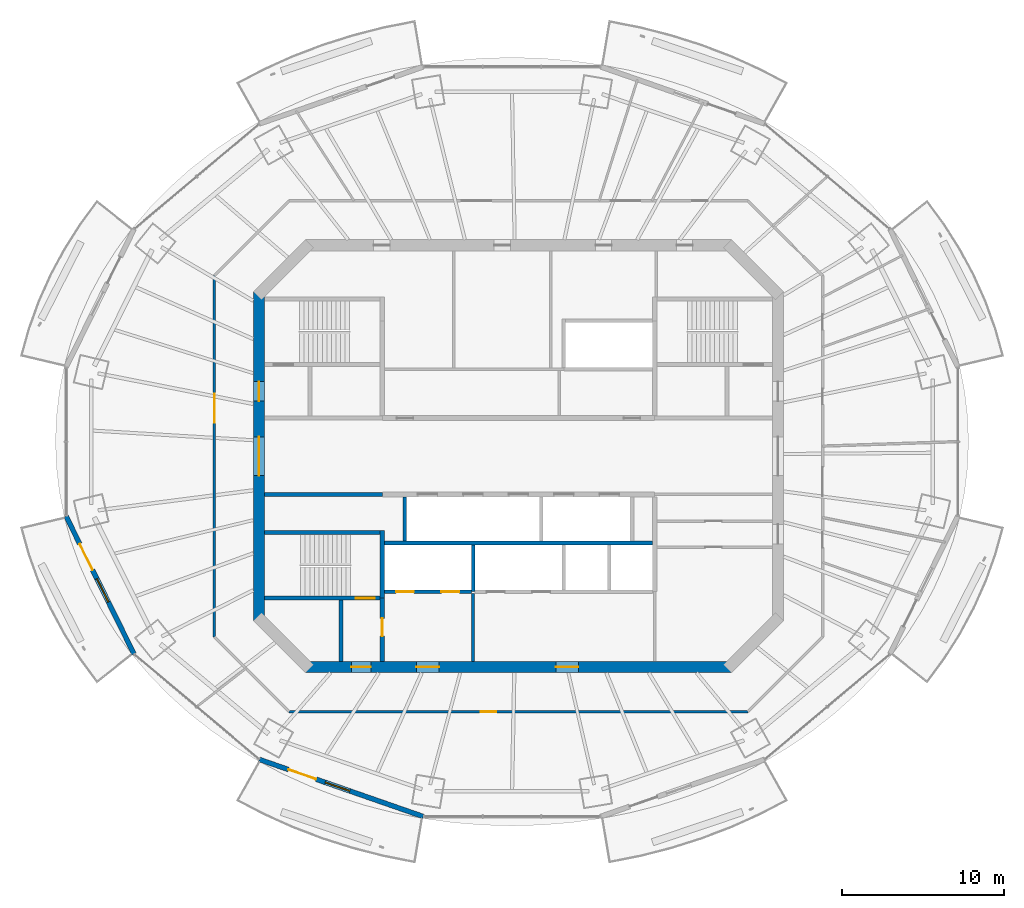
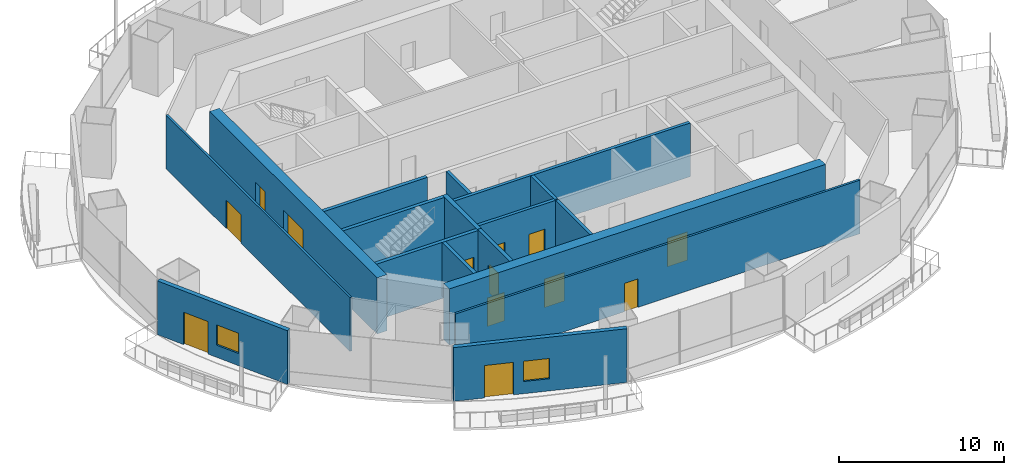
# One storey, part 8 of 16: 17 walls, 13 doors, 2 windows, 15 openings.
"""IFC4 building model written with IfcOpenShell, lengths in metres."""

from ifc_helpers import new_model, si_unit, direction, frame, frame_2d, origin, place, context, subcontext, project, spatial, rectangle, extrude, material, layer, layer_set, type_object, element, fill, save


model = new_model("IFC4")

# Units and contexts
model_context = context("Model", 3, precision=1e-05, world=origin(), true_north=direction((0.0, 1.0)))
body_context = subcontext(model_context, "Body", "Model", "MODEL_VIEW")
ifc_project = project(units=[si_unit("LENGTHUNIT", "METRE"), si_unit("AREAUNIT", "SQUARE_METRE"), si_unit("VOLUMEUNIT", "CUBIC_METRE"), si_unit("PLANEANGLEUNIT", "RADIAN"), si_unit("MASSUNIT", "GRAM", prefix="KILO")], contexts=[model_context])

# Site, building, storey
site_placement = place(None, origin())
site = spatial("IfcSite", under=ifc_project, at=site_placement, CompositionType="ELEMENT")
building_placement = place(site_placement, origin())
building = spatial("IfcBuilding", under=site, at=building_placement, Name="Marenthal Gate Tower", CompositionType="ELEMENT")
storey_placement = place(building_placement, frame((0.0, 0.0, 313.550048828125)))
storey = spatial("IfcBuildingStorey", under=building, at=storey_placement, Name="L70", CompositionType="ELEMENT", Elevation=313.550048828125)

# Wall, openings, doors
ifc_material_1 = material(Name="Concrete 60 MPa", Category="concrete")
ifc_layer_1 = layer(ifc_material_1, 0.699951171875)
ifc_layer_set_1 = layer_set([ifc_layer_1], Name="Core shear wall 700")
wall_type_1 = type_object("IfcWallType", Name="Core shear wall 700", PredefinedType="SHEAR", material=ifc_layer_set_1)
wall_1_placement = place(storey_placement, frame((-16.0, 10.14501953125, -0.179931640625), z_axis=(0.0, 0.0, 1.0), x_axis=(0.0, -1.0, 0.0)))
wall_1 = element("IfcWall", 1, at=wall_1_placement, inside=storey, type_object=wall_type_1, Name="Core wall 06", PredefinedType="SHEAR", context=body_context, shape_type="SweptSolid", body=[
    extrude(rectangle(XDim=20.2900390625, YDim=0.699951171875, at=frame_2d((10.14501953125, 0.0))), origin(), (0.0, 0.0, 1.0), 4.14990234375),
])
opening_1_placement = place(wall_1_placement, frame((8.945068359375, 0.0, 0.179931640625)))
opening_1 = element("IfcOpeningElement", 2, at=opening_1_placement, cuts=wall_1, Name="Opening D003.01", PredefinedType="OPENING", context=body_context, shape_type="SweptSolid", body=[
    extrude(rectangle(XDim=2.39990234375, YDim=2.10009765625, at=frame_2d((1.199951171875, 1.050048828125))), frame((0.0, 0.35986328125, 0.0), z_axis=(0.0, -1.0, 0.0), x_axis=(1.0, 0.0, 0.0)), (0.0, 0.0, 1.0), 0.719970703125),
])
opening_2_placement = place(wall_1_placement, frame((5.544921875, 0.0, 0.179931640625)))
opening_2 = element("IfcOpeningElement", 3, at=opening_2_placement, cuts=wall_1, Name="Opening D001.04", PredefinedType="OPENING", context=body_context, shape_type="SweptSolid", body=[
    extrude(rectangle(XDim=1.199951171875, YDim=2.10009765625, at=frame_2d((0.60009765625, 1.050048828125))), frame((0.0, 0.35986328125, 0.0), z_axis=(0.0, -1.0, 0.0), x_axis=(1.0, 0.0, 0.0)), (0.0, 0.0, 1.0), 0.719970703125),
])
ifc_material_2 = material(Name="Steel fire door", Category="steel")
door_type_1 = type_object("IfcDoorType", Name="Double fire door FD 45 2400 x 2100", OperationType="DOUBLE_DOOR_SINGLE_SWING", PredefinedType="DOOR", material=ifc_material_2)
door_1_placement = place(opening_1_placement, origin())
door_1 = element("IfcDoor", 4, at=door_1_placement, inside=storey, type_object=door_type_1, Name="Door D003.01", OperationType="DOUBLE_DOOR_SINGLE_SWING", OverallHeight=2.10009765625, OverallWidth=2.39990234375, PredefinedType="DOOR", context=body_context, shape_type="SweptSolid", body=[
    extrude(rectangle(XDim=2.39990234375, YDim=2.10009765625, at=frame_2d((1.199951171875, 1.050048828125))), frame((0.0, 0.02490234375, 0.0), z_axis=(0.0, -1.0, 0.0), x_axis=(1.0, 0.0, 0.0)), (0.0, 0.0, 1.0), 0.050048828125),
])
fill(opening_1, door_1)
ifc_material_3 = material(Name="Steel fire door", Category="steel")
door_type_2 = type_object("IfcDoorType", Name="Fire door FD 90 1200 x 2100", OperationType="NOTDEFINED", PredefinedType="DOOR", material=ifc_material_3)
door_2_placement = place(opening_2_placement, origin())
door_2 = element("IfcDoor", 5, at=door_2_placement, inside=storey, type_object=door_type_2, Name="Door D001.04", OperationType="SINGLE_SWING_RIGHT", OverallHeight=2.10009765625, OverallWidth=1.199951171875, PredefinedType="DOOR", context=body_context, shape_type="SweptSolid", body=[
    extrude(rectangle(XDim=1.199951171875, YDim=2.10009765625, at=frame_2d((0.60009765625, 1.050048828125))), frame((0.0, 0.02490234375, 0.0), z_axis=(0.0, -1.0, 0.0), x_axis=(1.0, 0.0, 0.0)), (0.0, 0.0, 1.0), 0.050048828125),
])
fill(opening_2, door_2)

wall_2_placement = place(storey_placement, frame((-13.14501953125, -13.0, -0.179931640625), z_axis=(0.0, 0.0, 1.0), x_axis=(1.0, 0.0, 0.0)))
wall_2 = element("IfcWall", 6, at=wall_2_placement, inside=storey, type_object=wall_type_1, Name="Core wall 08", PredefinedType="SHEAR", context=body_context, shape_type="SweptSolid", body=[
    extrude(rectangle(XDim=26.2900390625, YDim=0.699951171875, at=frame_2d((13.14501953125, 0.0))), origin(), (0.0, 0.0, 1.0), 4.14990234375),
])
opening_3_placement = place(wall_2_placement, frame((2.844970703125, 0.0, 0.179931640625)))
opening_3 = element("IfcOpeningElement", 7, at=opening_3_placement, cuts=wall_2, Name="Opening D001.06", PredefinedType="OPENING", context=body_context, shape_type="SweptSolid", body=[
    extrude(rectangle(XDim=1.199951171875, YDim=2.10009765625, at=frame_2d((0.60009765625, 1.050048828125))), frame((0.0, 0.35986328125, 0.0), z_axis=(0.0, -1.0, 0.0), x_axis=(1.0, 0.0, 0.0)), (0.0, 0.0, 1.0), 0.719970703125),
])
opening_4_placement = place(wall_2_placement, frame((6.844970703125, 0.0, 0.179931640625)))
opening_4 = element("IfcOpeningElement", 8, at=opening_4_placement, cuts=wall_2, Name="Opening D004.01", PredefinedType="OPENING", context=body_context, shape_type="SweptSolid", body=[
    extrude(rectangle(XDim=1.39990234375, YDim=2.10009765625, at=frame_2d((0.699951171875, 1.050048828125))), frame((0.0, 0.35986328125, 0.0), z_axis=(0.0, -1.0, 0.0), x_axis=(1.0, 0.0, 0.0)), (0.0, 0.0, 1.0), 0.719970703125),
])
opening_5_placement = place(wall_2_placement, frame((15.445068359375, 0.0, 0.179931640625)))
opening_5 = element("IfcOpeningElement", 9, at=opening_5_placement, cuts=wall_2, Name="Opening D004.02", PredefinedType="OPENING", context=body_context, shape_type="SweptSolid", body=[
    extrude(rectangle(XDim=1.39990234375, YDim=2.10009765625, at=frame_2d((0.699951171875, 1.050048828125))), frame((0.0, 0.35986328125, 0.0), z_axis=(0.0, -1.0, 0.0), x_axis=(1.0, 0.0, 0.0)), (0.0, 0.0, 1.0), 0.719970703125),
])
ifc_material_4 = material(Name="Steel fire door", Category="steel")
door_type_3 = type_object("IfcDoorType", Name="Fire door FD 45 1400 x 2100", OperationType="NOTDEFINED", PredefinedType="DOOR", material=ifc_material_4)
door_3_placement = place(opening_4_placement, origin())
door_3 = element("IfcDoor", 10, at=door_3_placement, inside=storey, type_object=door_type_3, Name="Door D004.01", OperationType="SINGLE_SWING_RIGHT", OverallHeight=2.10009765625, OverallWidth=1.39990234375, PredefinedType="DOOR", context=body_context, shape_type="SweptSolid", body=[
    extrude(rectangle(XDim=1.39990234375, YDim=2.10009765625, at=frame_2d((0.699951171875, 1.050048828125))), frame((0.0, 0.02490234375, 0.0), z_axis=(0.0, -1.0, 0.0), x_axis=(1.0, 0.0, 0.0)), (0.0, 0.0, 1.0), 0.050048828125),
])
fill(opening_4, door_3)
door_4_placement = place(opening_5_placement, origin())
door_4 = element("IfcDoor", 11, at=door_4_placement, inside=storey, type_object=door_type_3, Name="Door D004.02", OperationType="SINGLE_SWING_RIGHT", OverallHeight=2.10009765625, OverallWidth=1.39990234375, PredefinedType="DOOR", context=body_context, shape_type="SweptSolid", body=[
    extrude(rectangle(XDim=1.39990234375, YDim=2.10009765625, at=frame_2d((0.699951171875, 1.050048828125))), frame((0.0, 0.02490234375, 0.0), z_axis=(0.0, -1.0, 0.0), x_axis=(1.0, 0.0, 0.0)), (0.0, 0.0, 1.0), 0.050048828125),
])
fill(opening_5, door_4)
door_5_placement = place(opening_3_placement, origin())
door_5 = element("IfcDoor", 12, at=door_5_placement, inside=storey, type_object=door_type_2, Name="Door D001.06", OperationType="SINGLE_SWING_RIGHT", OverallHeight=2.10009765625, OverallWidth=1.199951171875, PredefinedType="DOOR", context=body_context, shape_type="SweptSolid", body=[
    extrude(rectangle(XDim=1.199951171875, YDim=2.10009765625, at=frame_2d((0.60009765625, 1.050048828125))), frame((0.0, 0.02490234375, 0.0), z_axis=(0.0, -1.0, 0.0), x_axis=(1.0, 0.0, 0.0)), (0.0, 0.0, 1.0), 0.050048828125),
])
fill(opening_3, door_5)

# Walls
ifc_material_5 = material(Name="Gypsum board on steel studs", Category="steel")
ifc_layer_2 = layer(ifc_material_5, 0.199951171875)
ifc_layer_set_2 = layer_set([ifc_layer_2], Name="Fire lobby wall 200")
wall_type_2 = type_object("IfcWallType", Name="Fire lobby wall 200", PredefinedType="PARTITIONING", material=ifc_layer_set_2)
wall_3_placement = place(storey_placement, frame((-2.800048828125, -12.64990234375, 0.0), z_axis=(0.0, 0.0, 1.0), x_axis=(0.0, 1.0, 0.0)))
element("IfcWall", 13, at=wall_3_placement, inside=storey, type_object=wall_type_2, Name="Fire wall 37", PredefinedType="PARTITIONING", context=body_context, shape_type="SweptSolid", body=[
    extrude(rectangle(XDim=4.18994140625, YDim=0.199951171875, at=frame_2d((2.094970703125, 0.0))), origin(), (0.0, 0.0, 1.0), 3.969970703125),
])
ifc_material_6 = material(Name="Concrete 50 MPa", Category="concrete")
ifc_layer_3 = layer(ifc_material_6, 0.300048828125)
ifc_layer_set_3 = layer_set([ifc_layer_3], Name="Hoistway shear wall 300")
wall_type_3 = type_object("IfcWallType", Name="Hoistway shear wall 300", PredefinedType="SHEAR", material=ifc_layer_set_3)
wall_4_placement = place(storey_placement, frame((-8.39990234375, -8.75, -0.179931640625), z_axis=(0.0, 0.0, 1.0), x_axis=(0.0, 1.0, 0.0)))
element("IfcWall", 14, at=wall_4_placement, inside=storey, type_object=wall_type_3, Name="Hoistway wall 32", PredefinedType="SHEAR", context=body_context, shape_type="SweptSolid", body=[
    extrude(rectangle(XDim=4.175048828125, YDim=0.300048828125, at=frame_2d((2.08740234375, 0.0))), origin(), (0.0, 0.0, 1.0), 4.14990234375),
])

# Wall, openings, doors
ifc_material_7 = material(Name="Concrete 40 MPa", Category="concrete")
ifc_layer_4 = layer(ifc_material_7, 0.219970703125)
ifc_layer_set_4 = layer_set([ifc_layer_4], Name="Hoistway wall 220")
wall_type_4 = type_object("IfcWallType", Name="Hoistway wall 220", PredefinedType="STANDARD", material=ifc_layer_set_4)
wall_5_placement = place(storey_placement, frame((-8.25, -8.35009765625, 0.0), z_axis=(0.0, 0.0, 1.0), x_axis=(1.0, 0.0, 0.0)))
wall_5 = element("IfcWall", 15, at=wall_5_placement, inside=storey, type_object=wall_type_4, Name="Hoistway wall 10", PredefinedType="STANDARD", context=body_context, shape_type="SweptSolid", body=[
    extrude(rectangle(XDim=5.340087890625, YDim=0.219970703125, at=frame_2d((2.669921875, 0.0))), origin(), (0.0, 0.0, 1.0), 3.969970703125),
])
opening_6_placement = place(wall_5_placement, frame((0.699951171875, 0.0, 0.0)))
opening_6 = element("IfcOpeningElement", 16, at=opening_6_placement, cuts=wall_5, Name="Opening LD-LF1", PredefinedType="OPENING", context=body_context, shape_type="SweptSolid", body=[
    extrude(rectangle(XDim=1.10009765625, YDim=2.10009765625, at=frame_2d((0.550048828125, 1.050048828125))), frame((0.0, 0.1201171875, 0.0), z_axis=(0.0, -1.0, 0.0), x_axis=(1.0, 0.0, 0.0)), (0.0, 0.0, 1.0), 0.239990234375),
])
opening_7_placement = place(wall_5_placement, frame((3.5, 0.0, 0.0)))
opening_7 = element("IfcOpeningElement", 17, at=opening_7_placement, cuts=wall_5, Name="Opening LD-LF2", PredefinedType="OPENING", context=body_context, shape_type="SweptSolid", body=[
    extrude(rectangle(XDim=1.10009765625, YDim=2.10009765625, at=frame_2d((0.550048828125, 1.050048828125))), frame((0.0, 0.1201171875, 0.0), z_axis=(0.0, -1.0, 0.0), x_axis=(1.0, 0.0, 0.0)), (0.0, 0.0, 1.0), 0.239990234375),
])
ifc_material_8 = material(Name="Stainless steel sliding door", Category="steel")
door_type_4 = type_object("IfcDoorType", Name="Lift landing door FD 90 1100 x 2100", OperationType="DOUBLE_DOOR_SLIDING", PredefinedType="DOOR", material=ifc_material_8)
door_6_placement = place(opening_6_placement, origin())
door_6 = element("IfcDoor", 18, at=door_6_placement, inside=storey, type_object=door_type_4, Name="Lift landing door LF1", OperationType="DOUBLE_DOOR_SLIDING", OverallHeight=2.10009765625, OverallWidth=1.10009765625, PredefinedType="DOOR", context=body_context, shape_type="SweptSolid", body=[
    extrude(rectangle(XDim=1.10009765625, YDim=2.10009765625, at=frame_2d((0.550048828125, 1.050048828125))), frame((0.0, 0.02490234375, 0.0), z_axis=(0.0, -1.0, 0.0), x_axis=(1.0, 0.0, 0.0)), (0.0, 0.0, 1.0), 0.050048828125),
])
fill(opening_6, door_6)
door_7_placement = place(opening_7_placement, origin())
door_7 = element("IfcDoor", 19, at=door_7_placement, inside=storey, type_object=door_type_4, Name="Lift landing door LF2", OperationType="DOUBLE_DOOR_SLIDING", OverallHeight=2.10009765625, OverallWidth=1.10009765625, PredefinedType="DOOR", context=body_context, shape_type="SweptSolid", body=[
    extrude(rectangle(XDim=1.10009765625, YDim=2.10009765625, at=frame_2d((0.550048828125, 1.050048828125))), frame((0.0, 0.02490234375, 0.0), z_axis=(0.0, -1.0, 0.0), x_axis=(1.0, 0.0, 0.0)), (0.0, 0.0, 1.0), 0.050048828125),
])
fill(opening_7, door_7)

# Walls
wall_6_placement = place(storey_placement, frame((-8.25, -5.35009765625, 0.0), z_axis=(0.0, 0.0, 1.0), x_axis=(1.0, 0.0, 0.0)))
element("IfcWall", 20, at=wall_6_placement, inside=storey, type_object=wall_type_4, Name="Hoistway wall 13", PredefinedType="STANDARD", context=body_context, shape_type="SweptSolid", body=[
    extrude(rectangle(XDim=16.5, YDim=0.219970703125, at=frame_2d((8.25, 0.0))), origin(), (0.0, 0.0, 1.0), 3.969970703125),
])
wall_7_placement = place(storey_placement, frame((-7.0, -5.239990234375, 0.0), z_axis=(0.0, 0.0, 1.0), x_axis=(0.0, 1.0, 0.0)))
element("IfcWall", 21, at=wall_7_placement, inside=storey, type_object=wall_type_4, Name="Hoistway wall 35", PredefinedType="STANDARD", context=body_context, shape_type="SweptSolid", body=[
    extrude(rectangle(XDim=2.739990234375, YDim=0.219970703125, at=frame_2d((1.3701171875, 0.0))), origin(), (0.0, 0.0, 1.0), 3.969970703125),
])
wall_8_placement = place(storey_placement, frame((-2.800048828125, -8.35009765625, 0.0), z_axis=(0.0, 0.0, 1.0), x_axis=(0.0, 1.0, 0.0)))
element("IfcWall", 22, at=wall_8_placement, inside=storey, type_object=wall_type_4, Name="Hoistway wall 38", PredefinedType="STANDARD", context=body_context, shape_type="SweptSolid", body=[
    extrude(rectangle(XDim=2.89013671875, YDim=0.219970703125, at=frame_2d((1.445068359375, 0.0))), origin(), (0.0, 0.0, 1.0), 3.969970703125),
])

# Wall, opening, door
ifc_material_9 = material(Name="Gypsum board on steel studs", Category="steel")
ifc_layer_5 = layer(ifc_material_9, 0.14990234375)
ifc_layer_set_5 = layer_set([ifc_layer_5], Name="Partition 150")
wall_type_5 = type_object("IfcWallType", Name="Partition 150", PredefinedType="PARTITIONING", material=ifc_layer_set_5)
wall_9_placement = place(storey_placement, frame((-18.75, -11.13916015625, 0.0), z_axis=(0.0, 0.0, 1.0), x_axis=(0.0, 1.0, 0.0)))
wall_9 = element("IfcWall", 23, at=wall_9_placement, inside=storey, type_object=wall_type_5, Name="Partition wall 52", PredefinedType="PARTITIONING", context=body_context, shape_type="SweptSolid", body=[
    extrude(rectangle(XDim=22.2783203125, YDim=0.14990234375, at=frame_2d((11.13916015625, 0.0))), origin(), (0.0, 0.0, 1.0), 3.969970703125),
])
opening_8_placement = place(wall_9_placement, frame((13.194091796875, 0.0, 0.0)))
opening_8 = element("IfcOpeningElement", 24, at=opening_8_placement, cuts=wall_9, Name="Opening D014.03", PredefinedType="OPENING", context=body_context, shape_type="SweptSolid", body=[
    extrude(rectangle(XDim=1.800048828125, YDim=2.10009765625, at=frame_2d((0.89990234375, 1.050048828125))), frame((0.0, 0.0849609375, 0.0), z_axis=(0.0, -1.0, 0.0), x_axis=(1.0, 0.0, 0.0)), (0.0, 0.0, 1.0), 0.169921875),
])
ifc_material_10 = material(Name="Timber door", Category="wood")
door_type_5 = type_object("IfcDoorType", Name="Double door 1800 x 2100", OperationType="DOUBLE_DOOR_SINGLE_SWING", PredefinedType="DOOR", material=ifc_material_10)
door_8_placement = place(opening_8_placement, origin())
door_8 = element("IfcDoor", 25, at=door_8_placement, inside=storey, type_object=door_type_5, Name="Door D014.03", OperationType="DOUBLE_DOOR_SINGLE_SWING", OverallHeight=2.10009765625, OverallWidth=1.800048828125, PredefinedType="DOOR", context=body_context, shape_type="SweptSolid", body=[
    extrude(rectangle(XDim=1.800048828125, YDim=2.10009765625, at=frame_2d((0.89990234375, 1.050048828125))), frame((0.0, 0.02490234375, 0.0), z_axis=(0.0, -1.0, 0.0), x_axis=(1.0, 0.0, 0.0)), (0.0, 0.0, 1.0), 0.050048828125),
])
fill(opening_8, door_8)

wall_10_placement = place(storey_placement, frame((14.13916015625, -15.75, 0.0), z_axis=(0.0, 0.0, 1.0), x_axis=(-1.0, 0.0, 0.0)))
wall_10 = element("IfcWall", 26, at=wall_10_placement, inside=storey, type_object=wall_type_5, Name="Partition wall 60", PredefinedType="PARTITIONING", context=body_context, shape_type="SweptSolid", body=[
    extrude(rectangle(XDim=28.2783203125, YDim=0.14990234375, at=frame_2d((14.13916015625, 0.0))), origin(), (0.0, 0.0, 1.0), 3.969970703125),
])
opening_9_placement = place(wall_10_placement, frame((15.51806640625, 0.0, 0.0)))
opening_9 = element("IfcOpeningElement", 27, at=opening_9_placement, cuts=wall_10, Name="Opening D016.05", PredefinedType="OPENING", context=body_context, shape_type="SweptSolid", body=[
    extrude(rectangle(XDim=0.949951171875, YDim=2.10009765625, at=frame_2d((0.47509765625, 1.050048828125))), frame((0.0, 0.0849609375, 0.0), z_axis=(0.0, -1.0, 0.0), x_axis=(1.0, 0.0, 0.0)), (0.0, 0.0, 1.0), 0.169921875),
])
ifc_material_11 = material(Name="Timber door", Category="wood")
door_type_6 = type_object("IfcDoorType", Name="Door 950 x 2100", OperationType="NOTDEFINED", PredefinedType="DOOR", material=ifc_material_11)
door_9_placement = place(opening_9_placement, origin())
door_9 = element("IfcDoor", 28, at=door_9_placement, inside=storey, type_object=door_type_6, Name="Door D016.05", OperationType="SINGLE_SWING_RIGHT", OverallHeight=2.10009765625, OverallWidth=0.949951171875, PredefinedType="DOOR", context=body_context, shape_type="SweptSolid", body=[
    extrude(rectangle(XDim=0.949951171875, YDim=2.10009765625, at=frame_2d((0.47509765625, 1.050048828125))), frame((0.0, 0.02490234375, 0.0), z_axis=(0.0, -1.0, 0.0), x_axis=(1.0, 0.0, 0.0)), (0.0, 0.0, 1.0), 0.050048828125),
])
fill(opening_9, door_9)

# Walls
ifc_material_12 = material(Name="Concrete 40 MPa", Category="concrete")
ifc_layer_6 = layer(ifc_material_12, 0.25)
ifc_layer_set_6 = layer_set([ifc_layer_6], Name="Stair enclosure wall 250")
wall_type_6 = type_object("IfcWallType", Name="Stair enclosure wall 250", PredefinedType="STANDARD", material=ifc_layer_set_6)
wall_11_placement = place(storey_placement, frame((-15.64990234375, -2.35009765625, 0.0), z_axis=(0.0, 0.0, 1.0), x_axis=(1.0, 0.0, 0.0)))
element("IfcWall", 29, at=wall_11_placement, inside=storey, type_object=wall_type_6, Name="Stair wall 16", PredefinedType="STANDARD", context=body_context, shape_type="SweptSolid", body=[
    extrude(rectangle(XDim=7.25, YDim=0.25, at=frame_2d((3.625, 0.0))), origin(), (0.0, 0.0, 1.0), 3.969970703125),
])
wall_12_placement = place(storey_placement, frame((-10.949951171875, -12.64990234375, 0.0), z_axis=(0.0, 0.0, 1.0), x_axis=(0.0, 1.0, 0.0)))
element("IfcWall", 30, at=wall_12_placement, inside=storey, type_object=wall_type_6, Name="Stair wall 30", PredefinedType="STANDARD", context=body_context, shape_type="SweptSolid", body=[
    extrude(rectangle(XDim=3.77490234375, YDim=0.25, at=frame_2d((1.887451171875, 0.0))), origin(), (0.0, 0.0, 1.0), 3.969970703125),
])

# Wall, opening, door
wall_13_placement = place(storey_placement, frame((-8.39990234375, -12.64990234375, 0.0), z_axis=(0.0, 0.0, 1.0), x_axis=(0.0, 1.0, 0.0)))
wall_13 = element("IfcWall", 31, at=wall_13_placement, inside=storey, type_object=wall_type_6, Name="Stair wall 31", PredefinedType="STANDARD", context=body_context, shape_type="SweptSolid", body=[
    extrude(rectangle(XDim=3.89990234375, YDim=0.25, at=frame_2d((1.949951171875, 0.0))), origin(), (0.0, 0.0, 1.0), 3.969970703125),
])
opening_10_placement = place(wall_13_placement, frame((1.550048828125, 0.0, 0.0)))
opening_10 = element("IfcOpeningElement", 32, at=opening_10_placement, cuts=wall_13, Name="Opening D002.01", PredefinedType="OPENING", context=body_context, shape_type="SweptSolid", body=[
    extrude(rectangle(XDim=1.10009765625, YDim=2.10009765625, at=frame_2d((0.550048828125, 1.050048828125))), frame((0.0, 0.135009765625, 0.0), z_axis=(0.0, -1.0, 0.0), x_axis=(1.0, 0.0, 0.0)), (0.0, 0.0, 1.0), 0.27001953125),
])
ifc_material_13 = material(Name="Steel fire door", Category="steel")
door_type_7 = type_object("IfcDoorType", Name="Fire door FD 90 1100 x 2100", OperationType="NOTDEFINED", PredefinedType="DOOR", material=ifc_material_13)
door_10_placement = place(opening_10_placement, origin())
door_10 = element("IfcDoor", 33, at=door_10_placement, inside=storey, type_object=door_type_7, Name="Door D002.01", OperationType="SINGLE_SWING_RIGHT", OverallHeight=2.10009765625, OverallWidth=1.10009765625, PredefinedType="DOOR", context=body_context, shape_type="SweptSolid", body=[
    extrude(rectangle(XDim=1.10009765625, YDim=2.10009765625, at=frame_2d((0.550048828125, 1.050048828125))), frame((0.0, 0.02490234375, 0.0), z_axis=(0.0, -1.0, 0.0), x_axis=(1.0, 0.0, 0.0)), (0.0, 0.0, 1.0), 0.050048828125),
])
fill(opening_10, door_10)

ifc_material_14 = material(Name="Concrete 50 MPa", Category="concrete")
ifc_layer_7 = layer(ifc_material_14, 0.25)
ifc_layer_set_7 = layer_set([ifc_layer_7], Name="Stair shear wall 250")
wall_type_7 = type_object("IfcWallType", Name="Stair shear wall 250", PredefinedType="SHEAR", material=ifc_layer_set_7)
wall_14_placement = place(storey_placement, frame((-15.64990234375, -8.75, -0.179931640625), z_axis=(0.0, 0.0, 1.0), x_axis=(1.0, 0.0, 0.0)))
wall_14 = element("IfcWall", 34, at=wall_14_placement, inside=storey, type_object=wall_type_7, Name="Stair wall 09", PredefinedType="SHEAR", context=body_context, shape_type="SweptSolid", body=[
    extrude(rectangle(XDim=7.099853515625, YDim=0.25, at=frame_2d((3.5498046875, 0.0))), origin(), (0.0, 0.0, 1.0), 4.14990234375),
])
opening_11_placement = place(wall_14_placement, frame((5.60009765625, 0.0, 0.179931640625)))
opening_11 = element("IfcOpeningElement", 35, at=opening_11_placement, cuts=wall_14, Name="Opening D001.03", PredefinedType="OPENING", context=body_context, shape_type="SweptSolid", body=[
    extrude(rectangle(XDim=1.199951171875, YDim=2.10009765625, at=frame_2d((0.60009765625, 1.050048828125))), frame((0.0, 0.135009765625, 0.0), z_axis=(0.0, -1.0, 0.0), x_axis=(1.0, 0.0, 0.0)), (0.0, 0.0, 1.0), 0.27001953125),
])
door_11_placement = place(opening_11_placement, origin())
door_11 = element("IfcDoor", 36, at=door_11_placement, inside=storey, type_object=door_type_2, Name="Door D001.03", OperationType="SINGLE_SWING_RIGHT", OverallHeight=2.10009765625, OverallWidth=1.199951171875, PredefinedType="DOOR", context=body_context, shape_type="SweptSolid", body=[
    extrude(rectangle(XDim=1.199951171875, YDim=2.10009765625, at=frame_2d((0.60009765625, 1.050048828125))), frame((0.0, 0.02490234375, 0.0), z_axis=(0.0, -1.0, 0.0), x_axis=(1.0, 0.0, 0.0)), (0.0, 0.0, 1.0), 0.050048828125),
])
fill(opening_11, door_11)

# Wall
wall_15_placement = place(storey_placement, frame((-15.64990234375, -4.699951171875, -0.179931640625), z_axis=(0.0, 0.0, 1.0), x_axis=(1.0, 0.0, 0.0)))
element("IfcWall", 37, at=wall_15_placement, inside=storey, type_object=wall_type_7, Name="Stair wall 14", PredefinedType="SHEAR", context=body_context, shape_type="SweptSolid", body=[
    extrude(rectangle(XDim=7.099853515625, YDim=0.25, at=frame_2d((3.5498046875, 0.0))), origin(), (0.0, 0.0, 1.0), 4.14990234375),
])

# Wall, openings, door, window
ifc_material_15 = material(Name="Terracotta cladding on insulated concrete-block backing", Category="masonry")
ifc_layer_8 = layer(ifc_material_15, 0.300048828125)
ifc_layer_set_8 = layer_set([ifc_layer_8], Name="Terracotta facade wall 300")
wall_type_8 = type_object("IfcWallType", Name="Terracotta facade wall 300", PredefinedType="SOLIDWALL", material=ifc_layer_set_8)
wall_16_placement = place(storey_placement, frame((-27.895263671875, -3.69873046875, 0.0), z_axis=(0.0, 0.0, 1.0), x_axis=(0.441906476931, -0.89706112704, 0.0)))
wall_16 = element("IfcWall", 38, at=wall_16_placement, inside=storey, type_object=wall_type_8, Name="Terracotta facade wall L70 bay 9", PredefinedType="SOLIDWALL", context=body_context, shape_type="SweptSolid", body=[
    extrude(rectangle(XDim=9.47216796875, YDim=0.300048828125, at=frame_2d((4.736083984375, 0.0))), origin(), (0.0, 0.0, 1.0), 3.969970703125),
])
opening_12_placement = place(wall_16_placement, frame((1.89990234375, 0.0, 0.0)))
opening_12 = element("IfcOpeningElement", 39, at=opening_12_placement, cuts=wall_16, Name="Opening BD-L70-09", PredefinedType="OPENING", context=body_context, shape_type="SweptSolid", body=[
    extrude(rectangle(XDim=1.800048828125, YDim=2.39990234375, at=frame_2d((0.89990234375, 1.199951171875))), frame((0.0, 0.16015625, 0.0), z_axis=(0.0, -1.0, 0.0), x_axis=(1.0, 0.0, 0.0)), (0.0, 0.0, 1.0), 0.320068359375),
])
opening_13_placement = place(wall_16_placement, frame((4.300048828125, 0.0, 0.89990234375)))
opening_13 = element("IfcOpeningElement", 40, at=opening_13_placement, cuts=wall_16, Name="Opening WN3-L70-09", PredefinedType="OPENING", context=body_context, shape_type="SweptSolid", body=[
    extrude(rectangle(XDim=1.60009765625, YDim=1.5, at=frame_2d((0.800048828125, 0.75))), frame((0.0, 0.16015625, 0.0), z_axis=(0.0, -1.0, 0.0), x_axis=(1.0, 0.0, 0.0)), (0.0, 0.0, 1.0), 0.320068359375),
])
ifc_material_16 = material(Name="Aluminium and glass", Category="aluminium")
door_type_8 = type_object("IfcDoorType", Name="Balcony door 1800x2400", OperationType="DOUBLE_DOOR_SINGLE_SWING", PredefinedType="DOOR", material=ifc_material_16)
door_12_placement = place(opening_12_placement, origin())
door_12 = element("IfcDoor", 41, at=door_12_placement, inside=storey, type_object=door_type_8, Name="Balcony door L70 bay 9", OperationType="SINGLE_SWING_LEFT", OverallHeight=2.39990234375, OverallWidth=1.800048828125, PredefinedType="DOOR", context=body_context, shape_type="SweptSolid", body=[
    extrude(rectangle(XDim=1.800048828125, YDim=2.39990234375, at=frame_2d((0.89990234375, 1.199951171875))), frame((0.0, 0.02490234375, 0.0), z_axis=(0.0, -1.0, 0.0), x_axis=(1.0, 0.0, 0.0)), (0.0, 0.0, 1.0), 0.050048828125),
])
fill(opening_12, door_12)
ifc_material_17 = material(Name="Aluminium and glass", Category="aluminium")
window_type = type_object("IfcWindowType", Name="Window 1600x1500", PartitioningType="DOUBLE_PANEL_VERTICAL", PredefinedType="WINDOW", material=ifc_material_17)
window_1_placement = place(opening_13_placement, origin())
window_1 = element("IfcWindow", 42, at=window_1_placement, inside=storey, type_object=window_type, Name="Window L70 bay 9", OverallHeight=1.5, OverallWidth=1.60009765625, PartitioningType="SINGLE_PANEL", PredefinedType="WINDOW", context=body_context, shape_type="SweptSolid", body=[
    extrude(rectangle(XDim=1.60009765625, YDim=1.5, at=frame_2d((0.800048828125, 0.75))), frame((0.0, 0.030029296875, 0.0), z_axis=(0.0, -1.0, 0.0), x_axis=(1.0, 0.0, 0.0)), (0.0, 0.0, 1.0), 0.06005859375),
])
fill(opening_13, window_1)

wall_17_placement = place(storey_placement, frame((-15.974853515625, -18.699462890625, 0.0), z_axis=(0.0, 0.0, 1.0), x_axis=(0.94436622093, -0.328895790132, 0.0)))
wall_17 = element("IfcWall", 43, at=wall_17_placement, inside=storey, type_object=wall_type_8, Name="Terracotta facade wall L70 bay 11", PredefinedType="SOLIDWALL", context=body_context, shape_type="SweptSolid", body=[
    extrude(rectangle(XDim=10.701171875, YDim=0.300048828125, at=frame_2d((5.3505859375, 0.0))), origin(), (0.0, 0.0, 1.0), 3.969970703125),
])
opening_14_placement = place(wall_17_placement, frame((1.89990234375, 0.0, 0.0)))
opening_14 = element("IfcOpeningElement", 44, at=opening_14_placement, cuts=wall_17, Name="Opening BD-L70-11", PredefinedType="OPENING", context=body_context, shape_type="SweptSolid", body=[
    extrude(rectangle(XDim=1.800048828125, YDim=2.39990234375, at=frame_2d((0.89990234375, 1.199951171875))), frame((0.0, 0.16015625, 0.0), z_axis=(0.0, -1.0, 0.0), x_axis=(1.0, 0.0, 0.0)), (0.0, 0.0, 1.0), 0.320068359375),
])
opening_15_placement = place(wall_17_placement, frame((4.300048828125, 0.0, 0.89990234375)))
opening_15 = element("IfcOpeningElement", 45, at=opening_15_placement, cuts=wall_17, Name="Opening WN3-L70-11", PredefinedType="OPENING", context=body_context, shape_type="SweptSolid", body=[
    extrude(rectangle(XDim=1.60009765625, YDim=1.5, at=frame_2d((0.800048828125, 0.75))), frame((0.0, 0.16015625, 0.0), z_axis=(0.0, -1.0, 0.0), x_axis=(1.0, 0.0, 0.0)), (0.0, 0.0, 1.0), 0.320068359375),
])
door_13_placement = place(opening_14_placement, origin())
door_13 = element("IfcDoor", 46, at=door_13_placement, inside=storey, type_object=door_type_8, Name="Balcony door L70 bay 11", OperationType="SINGLE_SWING_LEFT", OverallHeight=2.39990234375, OverallWidth=1.800048828125, PredefinedType="DOOR", context=body_context, shape_type="SweptSolid", body=[
    extrude(rectangle(XDim=1.800048828125, YDim=2.39990234375, at=frame_2d((0.89990234375, 1.199951171875))), frame((0.0, 0.02490234375, 0.0), z_axis=(0.0, -1.0, 0.0), x_axis=(1.0, 0.0, 0.0)), (0.0, 0.0, 1.0), 0.050048828125),
])
fill(opening_14, door_13)
window_2_placement = place(opening_15_placement, origin())
window_2 = element("IfcWindow", 47, at=window_2_placement, inside=storey, type_object=window_type, Name="Window L70 bay 11", OverallHeight=1.5, OverallWidth=1.60009765625, PartitioningType="SINGLE_PANEL", PredefinedType="WINDOW", context=body_context, shape_type="SweptSolid", body=[
    extrude(rectangle(XDim=1.60009765625, YDim=1.5, at=frame_2d((0.800048828125, 0.75))), frame((0.0, 0.030029296875, 0.0), z_axis=(0.0, -1.0, 0.0), x_axis=(1.0, 0.0, 0.0)), (0.0, 0.0, 1.0), 0.06005859375),
])
fill(opening_15, window_2)

save(model, "model.ifc")
